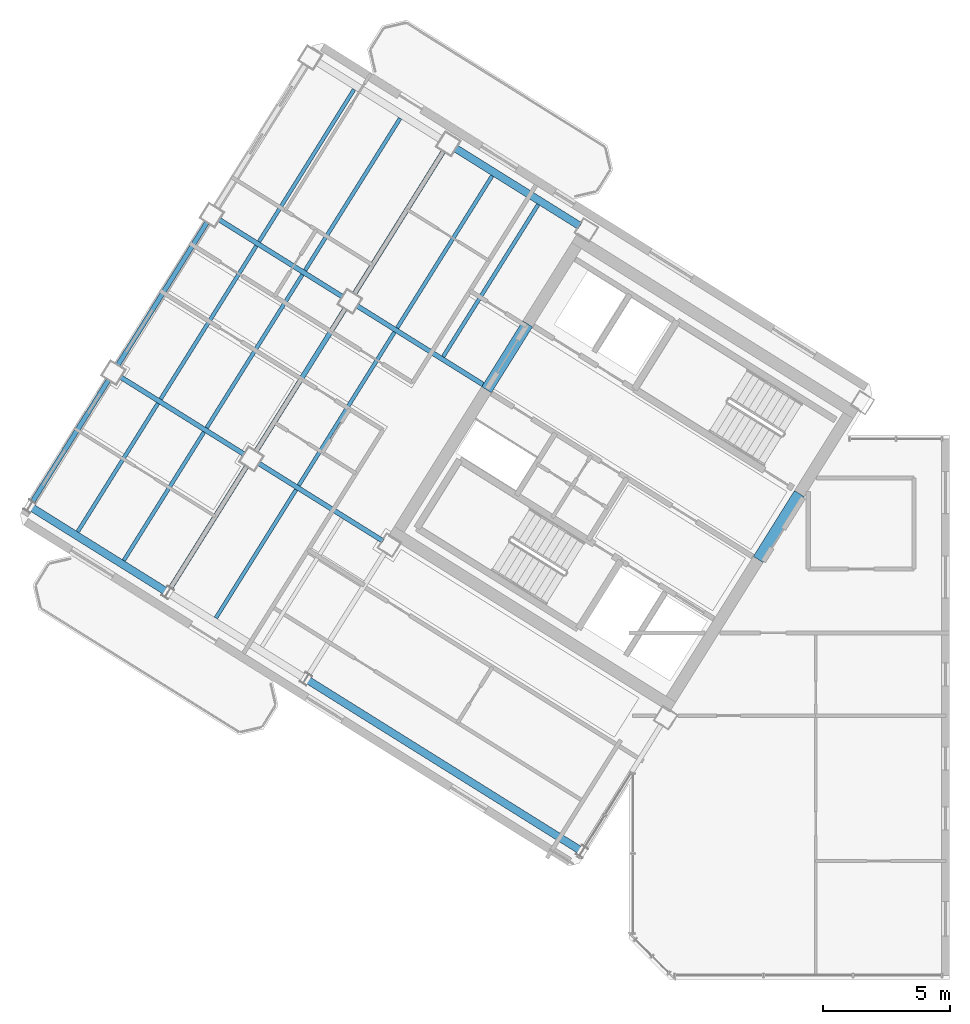
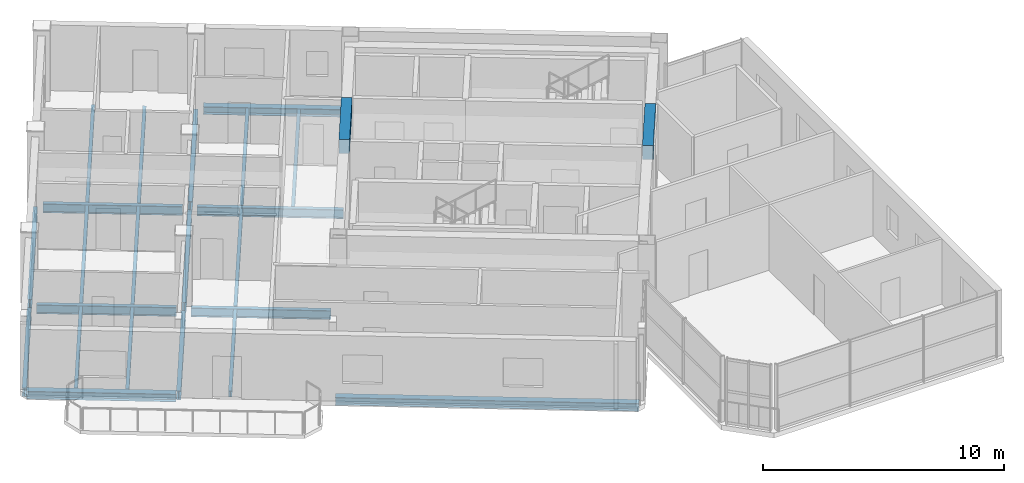
# One storey, part 3 of 13: 24 beams.
"""IFC4 building model written with IfcOpenShell, lengths in metres."""

from ifc_helpers import new_model, si_unit, direction, frame, origin, origin_2d, place, context, subcontext, project, spatial, rectangle, i_section, extrude, source, transform, mapped, material, material_profile, profile_set, type_object, element, save


model = new_model("IFC4")

# Units and contexts
model_context = context("Model", 3, precision=1e-05, world=origin(), true_north=direction((0.0, 1.0)))
body_context = subcontext(model_context, "Body", "Model", "MODEL_VIEW")
ifc_project = project(units=[si_unit("LENGTHUNIT", "METRE"), si_unit("AREAUNIT", "SQUARE_METRE"), si_unit("VOLUMEUNIT", "CUBIC_METRE"), si_unit("PLANEANGLEUNIT", "RADIAN"), si_unit("MASSUNIT", "GRAM", prefix="KILO")], contexts=[model_context])

# Site, building, storey
site_placement = place(None, origin())
site = spatial("IfcSite", under=ifc_project, at=site_placement, CompositionType="ELEMENT")
building_placement = place(site_placement, origin())
building = spatial("IfcBuilding", under=site, at=building_placement, Name="Tlacorven Tower", CompositionType="ELEMENT")
storey_placement = place(building_placement, frame((0.0, 0.0, 295.199951171875)))
storey = spatial("IfcBuildingStorey", under=building, at=storey_placement, Name="L75", CompositionType="ELEMENT", Elevation=295.199951171875)

# Beams
ifc_material_1 = material(Name="Concrete C60/75", Category="concrete")
ifc_material_profile_1 = material_profile(ifc_material_1, rectangle(XDim=0.449951171875, YDim=0.699951171875, at=origin_2d()), Name="RC 450X700")
ifc_profile_set_1 = profile_set([ifc_material_profile_1], Name="Concrete C60/75")
beam_type_1 = type_object("IfcBeamType", Name="BM-LNT-700", PredefinedType="LINTEL", material=ifc_profile_set_1)
shared_shape_1 = source(origin(), body_context, "Body", "SweptSolid", [
    extrude(rectangle(XDim=0.449951171875, YDim=0.699951171875, at=origin_2d()), origin(), (0.0, 0.0, 1.0), 3.050048828125),
])
beam_1_placement = place(storey_placement, frame((38.2998046875, 20.890625, 2.969970703125), z_axis=(-0.529984549635, -0.848007297815, 0.0), x_axis=(0.848007297815, -0.529984549635, 0.0)))
element("IfcBeam", 1, at=beam_1_placement, inside=storey, type_object=beam_type_1, Name="L75 W core coupling lintel beam E1", PredefinedType="LINTEL", context=body_context, shape_type="MappedRepresentation", body=[
    mapped(shared_shape_1, transform((0.0, 0.0, 0.0), scale=1.0)),
])
shared_shape_2 = source(origin(), body_context, "Body", "SweptSolid", [
    extrude(rectangle(XDim=0.449951171875, YDim=0.699951171875, at=origin_2d()), origin(), (0.0, 0.0, 1.0), 3.0498046875),
])
beam_2_placement = place(storey_placement, frame((27.622802734375, 27.562255859375, 2.969970703125), z_axis=(-0.529926983584, -0.848043272522, 0.0), x_axis=(0.848043272522, -0.529926983584, 0.0)))
element("IfcBeam", 2, at=beam_2_placement, inside=storey, type_object=beam_type_1, Name="L75 W core coupling lintel beam E2", PredefinedType="LINTEL", context=body_context, shape_type="MappedRepresentation", body=[
    mapped(shared_shape_2, transform((0.0, 0.0, 0.0), scale=1.0)),
])
ifc_material_2 = material(Name="Steel S355J2", Category="steel")
ifc_material_profile_2 = material_profile(ifc_material_2, i_section(OverallWidth=0.300048828125, OverallDepth=0.389892578125, WebThickness=0.010986328125, FlangeThickness=0.01904296875, at=origin_2d()), Name="HEA 400")
ifc_profile_set_2 = profile_set([ifc_material_profile_2], Name="Steel S355J2")
beam_type_2 = type_object("IfcBeamType", Name="BM-SPN-400", PredefinedType="SPANDREL", material=ifc_profile_set_2)
shared_shape_3 = source(origin(), body_context, "Body", "SweptSolid", [
    extrude(i_section(OverallWidth=0.300048828125, OverallDepth=0.389892578125, WebThickness=0.010986328125, FlangeThickness=0.01904296875, at=origin_2d()), origin(), (0.0, 0.0, 1.0), 12.599853515625),
])
beam_3_placement = place(storey_placement, frame((29.67578125, 6.882080078125, -0.445068359375), z_axis=(-0.848045108756, 0.529924045043, 0.0), x_axis=(-0.529924045043, -0.848045108756, 0.0)))
element("IfcBeam", 3, at=beam_3_placement, inside=storey, type_object=beam_type_2, Name="L75 beam BM-L75-WL4-1", PredefinedType="SPANDREL", context=body_context, shape_type="MappedRepresentation", body=[
    mapped(shared_shape_3, transform((0.0, 0.0, 0.0), scale=1.0)),
])
shared_shape_4 = source(origin(), body_context, "Body", "SweptSolid", [
    extrude(i_section(OverallWidth=0.300048828125, OverallDepth=0.389892578125, WebThickness=0.010986328125, FlangeThickness=0.01904296875, at=origin_2d()), origin(), (0.0, 0.0, 1.0), 6.199951171875),
])
beam_4_placement = place(storey_placement, frame((13.393310546875, 17.056396484375, -0.445068359375), z_axis=(-0.848033697614, 0.529942306022, 0.0), x_axis=(-0.529942306022, -0.848033697614, 0.0)))
element("IfcBeam", 4, at=beam_4_placement, inside=storey, type_object=beam_type_2, Name="L75 beam BM-L75-WL4-4", PredefinedType="SPANDREL", context=body_context, shape_type="MappedRepresentation", body=[
    mapped(shared_shape_4, transform((0.0, 0.0, 0.0), scale=1.0)),
])
shared_shape_5 = source(origin(), body_context, "Body", "SweptSolid", [
    extrude(i_section(OverallWidth=0.300048828125, OverallDepth=0.389892578125, WebThickness=0.010986328125, FlangeThickness=0.01904296875, at=origin_2d()), origin(), (0.0, 0.0, 1.0), 5.800048828125),
])
beam_5_placement = place(storey_placement, frame((29.673583984375, 31.410400390625, -0.445068359375), z_axis=(-0.848052689693, 0.529911912967, 0.0), x_axis=(-0.529911912967, -0.848052689693, 0.0)))
element("IfcBeam", 5, at=beam_5_placement, inside=storey, type_object=beam_type_2, Name="L75 beam BM-L75-WL1-3", PredefinedType="SPANDREL", context=body_context, shape_type="MappedRepresentation", body=[
    mapped(shared_shape_5, transform((0.0, 0.0, 0.0), scale=1.0)),
])
ifc_material_profile_3 = material_profile(ifc_material_2, i_section(OverallWidth=0.14990234375, OverallDepth=0.300048828125, WebThickness=0.007080078125, FlangeThickness=0.0107421875, at=origin_2d()), Name="IPE 300")
ifc_profile_set_3 = profile_set([ifc_material_profile_3], Name="Steel S355J2")
beam_type_3 = type_object("IfcBeamType", Name="BM-JST-300", PredefinedType="JOIST", material=ifc_profile_set_3)
shared_shape_6 = source(origin(), body_context, "Body", "SweptSolid", [
    extrude(i_section(OverallWidth=0.14990234375, OverallDepth=0.300048828125, WebThickness=0.007080078125, FlangeThickness=0.0107421875, at=origin_2d()), origin(), (0.0, 0.0, 1.0), 7.10009765625),
])
beam_6_placement = place(storey_placement, frame((22.38818359375, 27.23681640625, -0.39990234375), z_axis=(-0.529915484902, -0.848050457733, 0.0), x_axis=(0.848050457733, -0.529915484902, 0.0)))
element("IfcBeam", 6, at=beam_6_placement, inside=storey, type_object=beam_type_3, Name="L75 beam BM-L75-WJ3-2-2", PredefinedType="JOIST", context=body_context, shape_type="MappedRepresentation", body=[
    mapped(shared_shape_6, transform((0.0, 0.0, 0.0), scale=1.0)),
])
shared_shape_7 = source(origin(), body_context, "Body", "SweptSolid", [
    extrude(i_section(OverallWidth=0.14990234375, OverallDepth=0.300048828125, WebThickness=0.007080078125, FlangeThickness=0.0107421875, at=origin_2d()), origin(), (0.0, 0.0, 1.0), 7.099853515625),
])
for number, where, z_axis, x_axis, name in (
    (7, (18.769775390625, 29.497802734375, -0.39990234375), (-0.529890754507, -0.848065910344, 0.0), (0.848065910344, -0.529890754507, 0.0), "L75 beam BM-L75-WJ4-2-1"),
    (8, (16.960693359375, 30.628173828125, -0.39990234375), (-0.529930937954, -0.848040801494, 0.0), (0.848040801494, -0.529930937954, 0.0), "L75 beam BM-L75-WJ4-2-2"),
):
    element("IfcBeam", number, at=place(storey_placement, frame(where, z_axis=z_axis, x_axis=x_axis)), inside=storey, type_object=beam_type_3, Name=name, PredefinedType="JOIST", context=body_context, shape_type="MappedRepresentation", body=[
        mapped(shared_shape_7, transform((0.0, 0.0, 0.0), scale=1.0)),
    ])
shared_shape_8 = source(origin(), body_context, "Body", "SweptSolid", [
    extrude(i_section(OverallWidth=0.14990234375, OverallDepth=0.300048828125, WebThickness=0.007080078125, FlangeThickness=0.0107421875, at=origin_2d()), origin(), (0.0, 0.0, 1.0), 7.044921875),
])
for number, where, z_axis, x_axis, name in (
    (9, (28.03662109375, 32.25048828125, -0.39990234375), (-0.529899256491, -0.848060598053, 0.0), (0.848060598053, -0.529899256491, 0.0), "L75 beam BM-L75-WJ3-1-1"),
    (10, (26.2275390625, 33.380859375, -0.39990234375), (-0.529939753148, -0.848035292917, 0.0), (0.848035292917, -0.529939753148, 0.0), "L75 beam BM-L75-WJ3-1-2"),
    (11, (22.609130859375, 35.641845703125, -0.39990234375), (-0.52991483005, -0.848050866925, 0.0), (0.848050866925, -0.52991483005, 0.0), "L75 beam BM-L75-WJ4-1-1"),
):
    element("IfcBeam", number, at=place(storey_placement, frame(where, z_axis=z_axis, x_axis=x_axis)), inside=storey, type_object=beam_type_3, Name=name, PredefinedType="JOIST", context=body_context, shape_type="MappedRepresentation", body=[
        mapped(shared_shape_8, transform((0.0, 0.0, 0.0), scale=1.0)),
    ])
shared_shape_9 = source(origin(), body_context, "Body", "SweptSolid", [
    extrude(i_section(OverallWidth=0.14990234375, OverallDepth=0.300048828125, WebThickness=0.007080078125, FlangeThickness=0.0107421875, at=origin_2d()), origin(), (0.0, 0.0, 1.0), 5.945068359375),
])
for number, where, z_axis, x_axis, name in (
    (12, (18.519775390625, 21.046142578125, -0.39990234375), (-0.529914037113, -0.848051362401, 0.0), (0.848051362401, -0.529914037113, 0.0), "L75 beam BM-L75-WJ3-3-2"),
    (13, (14.9013671875, 23.30712890625, -0.39990234375), (-0.529884501938, -0.848069817059, 0.0), (0.848069817059, -0.529884501938, 0.0), "L75 beam BM-L75-WJ4-3-1"),
):
    element("IfcBeam", number, at=place(storey_placement, frame(where, z_axis=z_axis, x_axis=x_axis)), inside=storey, type_object=beam_type_3, Name=name, PredefinedType="JOIST", context=body_context, shape_type="MappedRepresentation", body=[
        mapped(shared_shape_9, transform((0.0, 0.0, 0.0), scale=1.0)),
    ])
shared_shape_10 = source(origin(), body_context, "Body", "SweptSolid", [
    extrude(i_section(OverallWidth=0.14990234375, OverallDepth=0.300048828125, WebThickness=0.007080078125, FlangeThickness=0.0107421875, at=origin_2d()), origin(), (0.0, 0.0, 1.0), 7.045166015625),
])
beam_7_placement = place(storey_placement, frame((20.800048828125, 36.7724609375, -0.39990234375), z_axis=(-0.529924179428, -0.848045024782, 0.0), x_axis=(0.848045024782, -0.529924179428, 0.0)))
element("IfcBeam", 14, at=beam_7_placement, inside=storey, type_object=beam_type_3, Name="L75 beam BM-L75-WJ4-1-2", PredefinedType="JOIST", context=body_context, shape_type="MappedRepresentation", body=[
    mapped(shared_shape_10, transform((0.0, 0.0, 0.0), scale=1.0)),
])
shared_shape_11 = source(origin(), body_context, "Body", "SweptSolid", [
    extrude(i_section(OverallWidth=0.14990234375, OverallDepth=0.300048828125, WebThickness=0.007080078125, FlangeThickness=0.0107421875, at=origin_2d()), origin(), (0.0, 0.0, 1.0), 5.94482421875),
])
beam_8_placement = place(storey_placement, frame((13.09228515625, 24.4375, -0.39990234375), z_axis=(-0.529932492401, -0.848039830136, 0.0), x_axis=(0.848039830136, -0.529932492401, 0.0)))
element("IfcBeam", 15, at=beam_8_placement, inside=storey, type_object=beam_type_3, Name="L75 beam BM-L75-WJ4-3-2", PredefinedType="JOIST", context=body_context, shape_type="MappedRepresentation", body=[
    mapped(shared_shape_11, transform((0.0, 0.0, 0.0), scale=1.0)),
])
ifc_material_profile_4 = material_profile(ifc_material_2, i_section(OverallWidth=0.18994140625, OverallDepth=0.449951171875, WebThickness=0.009521484375, FlangeThickness=0.0146484375, at=origin_2d()), Name="IPE 450")
ifc_profile_set_4 = profile_set([ifc_material_profile_4], Name="Steel S355J2")
beam_type_4 = type_object("IfcBeamType", Name="BM-TWR-450", PredefinedType="BEAM", material=ifc_profile_set_4)
shared_shape_12 = source(origin(), body_context, "Body", "SweptSolid", [
    extrude(i_section(OverallWidth=0.18994140625, OverallDepth=0.449951171875, WebThickness=0.009521484375, FlangeThickness=0.0146484375, at=origin_2d()), origin(), (0.0, 0.0, 1.0), 6.06005859375),
])
beam_9_placement = place(storey_placement, frame((26.025634765625, 25.081787109375, -0.474853515625), z_axis=(-0.848039041052, 0.529933755154, 0.0), x_axis=(-0.529933755154, -0.848039041052, 0.0)))
element("IfcBeam", 16, at=beam_9_placement, inside=storey, type_object=beam_type_4, Name="L75 beam BM-L75-WL2-3", PredefinedType="BEAM", context=body_context, shape_type="MappedRepresentation", body=[
    mapped(shared_shape_12, transform((0.0, 0.0, 0.0), scale=1.0)),
])
shared_shape_13 = source(origin(), body_context, "Body", "SweptSolid", [
    extrude(i_section(OverallWidth=0.18994140625, OverallDepth=0.449951171875, WebThickness=0.009521484375, FlangeThickness=0.0146484375, at=origin_2d()), origin(), (0.0, 0.0, 1.0), 5.800048828125),
])
for number, where, z_axis, x_axis, name in (
    (17, (20.377685546875, 28.611083984375, -0.474853515625), (-0.848052689693, 0.529911912967, 0.0), (-0.529911912967, -0.848052689693, 0.0), "L75 beam BM-L75-WL2-4"),
    (18, (21.936767578125, 19.02880859375, -0.474853515625), (-0.848052689693, 0.529911912967, 0.0), (-0.529911912967, -0.848052689693, 0.0), "L75 beam BM-L75-WL3-3"),
    (19, (16.50927734375, 22.42041015625, -0.474853515625), (-0.848052689693, 0.529911912967, 0.0), (-0.529911912967, -0.848052689693, 0.0), "L75 beam BM-L75-WL3-4"),
    (20, (16.604736328125, 22.0068359375, -0.474853515625), (-0.52994218514, -0.848033773154, 0.0), (0.848033773154, -0.52994218514, 0.0), "L75 beam BM-L75-WT4-3"),
    (21, (11.17724609375, 25.3984375, -0.474853515625), (-0.52994218514, -0.848033773154, 0.0), (0.848033773154, -0.52994218514, 0.0), "L75 beam BM-L75-WT5-3"),
):
    element("IfcBeam", number, at=place(storey_placement, frame(where, z_axis=z_axis, x_axis=x_axis)), inside=storey, type_object=beam_type_4, Name=name, PredefinedType="BEAM", context=body_context, shape_type="MappedRepresentation", body=[
        mapped(shared_shape_13, transform((0.0, 0.0, 0.0), scale=1.0)),
    ])
shared_shape_14 = source(origin(), body_context, "Body", "SweptSolid", [
    extrude(i_section(OverallWidth=0.18994140625, OverallDepth=0.449951171875, WebThickness=0.009521484375, FlangeThickness=0.0146484375, at=origin_2d()), origin(), (0.0, 0.0, 1.0), 6.699951171875),
])
for number, where, z_axis, x_axis, name in (
    (22, (24.341552734375, 34.388427734375, -0.474853515625), (-0.529930154818, -0.848041290867, 0.0), (0.848041290867, -0.529930154818, 0.0), "L75 beam BM-L75-WT4-1"),
    (23, (20.47314453125, 28.19775390625, -0.474853515625), (-0.529930154818, -0.848041290867, 0.0), (0.848041290867, -0.529930154818, 0.0), "L75 beam BM-L75-WT4-2"),
    (24, (15.045654296875, 31.589111328125, -0.474853515625), (-0.529930154818, -0.848041290867, 0.0), (0.848041290867, -0.529930154818, 0.0), "L75 beam BM-L75-WT5-2"),
):
    element("IfcBeam", number, at=place(storey_placement, frame(where, z_axis=z_axis, x_axis=x_axis)), inside=storey, type_object=beam_type_4, Name=name, PredefinedType="BEAM", context=body_context, shape_type="MappedRepresentation", body=[
        mapped(shared_shape_14, transform((0.0, 0.0, 0.0), scale=1.0)),
    ])

save(model, "model.ifc")
